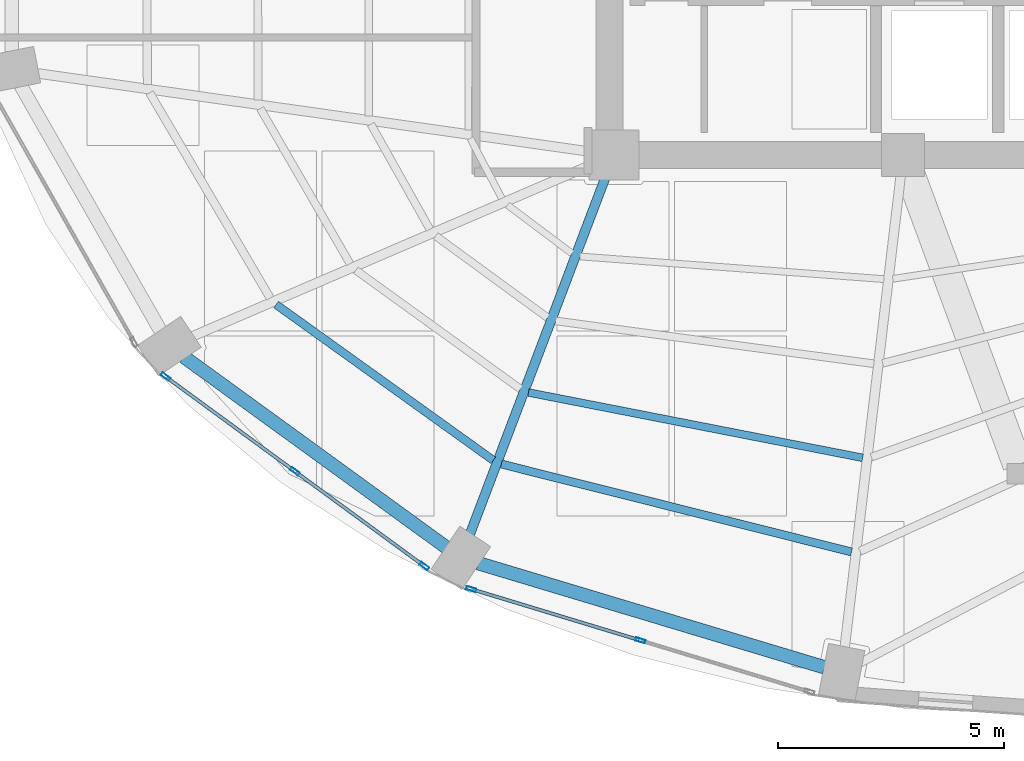
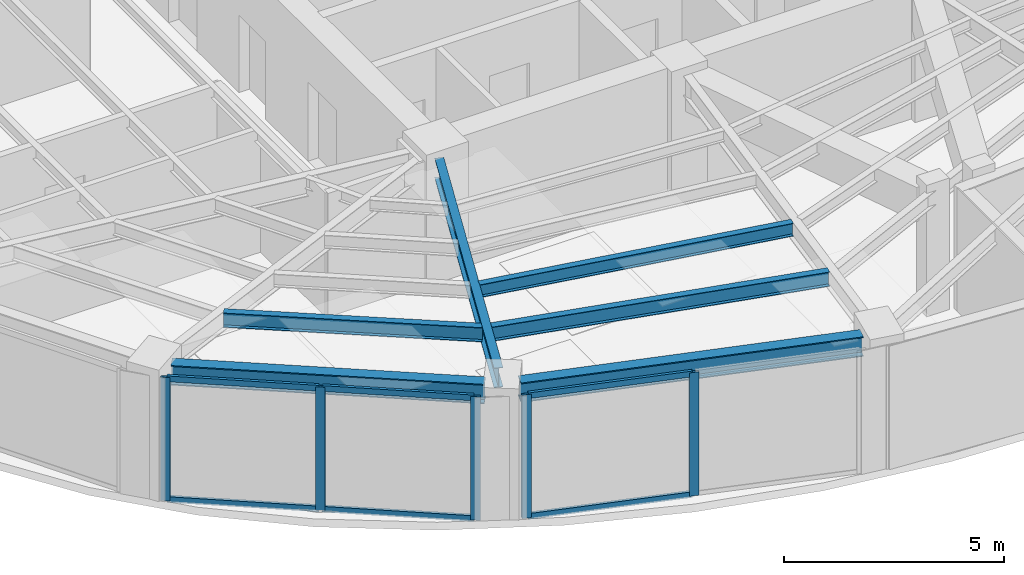
# One storey, part 2 of 19: 11 members, 6 beams, 2 elements without a shape of their own.
"""IFC4 building model written with IfcOpenShell, lengths in metres."""

import ifcopenshell
import ifcopenshell.guid

model = None  # the IFC model being written
_history = None  # IfcOwnerHistory: only IFC2X3 demands one
_inside = {}  # id of a spatial element -> (the spatial element, [elements in it])
_under = {}  # id of a project, library or spatial element -> (it, [spatial elements below it])
_declared = {}  # id of a project -> (the project, [libraries it declares])
_typed = {}  # id of a type object -> (the type object, [elements of that type])
_made_of = {}  # id of a material, layer set ... -> (it, [elements and type objects made of it])


def new_model(schema):
    """Start an empty IFC model of exactly this schema.

    Asked for "IFC4X3", IfcOpenShell would pick the latest addendum, in which some entities
    have other attributes; the version numbers below select the first issue.
    IFC2X3 requires an IfcOwnerHistory on every rooted entity: one is made here for all.
    """
    global model, _history
    if schema == "IFC4X3":
        model = ifcopenshell.file(schema_version=(4, 3, 0, 0))
    else:
        model = ifcopenshell.file(schema=schema)
    _inside.clear()
    _under.clear()
    _declared.clear()
    _typed.clear()
    _made_of.clear()
    _history = None
    if model.schema == "IFC2X3":
        org = make("IfcOrganization", Name="unknown")
        user = make(
            "IfcPersonAndOrganization",
            ThePerson=make("IfcPerson", FamilyName="unknown"),
            TheOrganization=org,
        )
        app = make(
            "IfcApplication",
            ApplicationDeveloper=org,
            Version="unknown",
            ApplicationFullName="unknown",
            ApplicationIdentifier="unknown",
        )
        _history = make(
            "IfcOwnerHistory",
            OwningUser=user,
            OwningApplication=app,
            ChangeAction="ADDED",
            CreationDate=0,
        )
    return model


def make(cls, **values):
    """One entity of the class cls with the attributes given. An attribute that is None is left unset."""
    return model.create_entity(
        cls, **{name: value for name, value in values.items() if value is not None}
    )


def rooted(cls, **values):
    """An entity with a GlobalId (a new one), such as an element, a storey or a relation."""
    return make(cls, GlobalId=ifcopenshell.guid.new(), OwnerHistory=_history, **values)


def si_unit(unit_type, name, prefix=None):
    """IfcSIUnit, for example si_unit("LENGTHUNIT", "METRE", prefix="MILLI")."""
    return make("IfcSIUnit", UnitType=unit_type, Prefix=prefix, Name=name)


def assignment(units):
    """IfcUnitAssignment: the units of a project."""
    return None if units is None else make("IfcUnitAssignment", Units=units)


def point(xyz):
    """IfcCartesianPoint."""
    return None if xyz is None else make("IfcCartesianPoint", Coordinates=xyz)


def direction(xyz):
    """IfcDirection."""
    return None if xyz is None else make("IfcDirection", DirectionRatios=xyz)


def frame(location, z_axis=None, x_axis=None):
    """IfcAxis2Placement3D, a coordinate frame: its origin and axes. An axis left out is left unset."""
    return make(
        "IfcAxis2Placement3D",
        Location=point(location),
        Axis=direction(z_axis),
        RefDirection=direction(x_axis),
    )


def frame_2d(location, x_axis=None):
    """IfcAxis2Placement2D, a coordinate frame in the plane: its origin and x axis."""
    return make(
        "IfcAxis2Placement2D", Location=point(location), RefDirection=direction(x_axis)
    )


def origin():
    """The frame at (0, 0, 0) with its axes left unset."""
    return frame((0.0, 0.0, 0.0))


def origin_2d():
    """The frame at (0, 0) in the plane with its x axis left unset."""
    return frame_2d((0.0, 0.0))


def place(relative_to, where):
    """IfcLocalPlacement: puts the frame where relative to a parent placement (None: the world)."""
    return make(
        "IfcLocalPlacement", PlacementRelTo=relative_to, RelativePlacement=where
    )


def context(
    kind, dimensions, precision=None, world=None, true_north=None, identifier=None
):
    """IfcGeometricRepresentationContext, for example the 3D "Model" context."""
    return make(
        "IfcGeometricRepresentationContext",
        ContextIdentifier=identifier,
        ContextType=kind,
        CoordinateSpaceDimension=dimensions,
        Precision=precision,
        WorldCoordinateSystem=world,
        TrueNorth=true_north,
    )


def subcontext(parent, identifier, kind, view, scale=None):
    """IfcGeometricRepresentationSubContext, for example "Body" below "Model"."""
    return make(
        "IfcGeometricRepresentationSubContext",
        ContextIdentifier=identifier,
        ContextType=kind,
        ParentContext=parent,
        TargetScale=scale,
        TargetView=view,
    )


def project(units=None, contexts=None):
    """IfcProject with its units and contexts."""
    return rooted(
        "IfcProject",
        Name="project",
        RepresentationContexts=contexts,
        UnitsInContext=assignment(units),
    )


def spatial(cls, under=None, at=None, **own):
    """A site, building, storey or space (cls), placed at a placement, below another one or the project."""
    s = rooted(cls, ObjectPlacement=at, **own)
    if under is not None:
        _under.setdefault(under.id(), (under, []))[1].append(s)
    return s


def profile(cls, at=None, kind="AREA", **sizes):
    """A parametric profile (cls). Its sizes go by their IFC names, for example OverallWidth=200.0."""
    return make(cls, ProfileType=kind, Position=at, **sizes)


def hollow_rectangle(**sizes):
    """IfcRectangleHollowProfileDef."""
    return profile("IfcRectangleHollowProfileDef", **sizes)


def i_section(**sizes):
    """IfcIShapeProfileDef."""
    return profile("IfcIShapeProfileDef", **sizes)


def extrude(swept, where, along, depth):
    """IfcExtrudedAreaSolid: the profile swept, set in the frame where, extruded along a direction by depth."""
    return make(
        "IfcExtrudedAreaSolid",
        SweptArea=swept,
        Position=where,
        ExtrudedDirection=direction(along),
        Depth=depth,
    )


def shape(context_of_items, identifier, shape_type, items):
    """IfcShapeRepresentation: the items that make up one representation, for example the "Body"."""
    return make(
        "IfcShapeRepresentation",
        ContextOfItems=context_of_items,
        RepresentationIdentifier=identifier,
        RepresentationType=shape_type,
        Items=items,
    )


def material(Name=None, Category=None):
    """IfcMaterial."""
    return make("IfcMaterial", Name=Name, Category=Category)


def layer(
    of_material, thickness, ventilated=None, Name=None, Category=None, Priority=None
):
    """IfcMaterialLayer: one layer of a wall or slab, of a material (None: an air gap)."""
    return make(
        "IfcMaterialLayer",
        Material=of_material,
        LayerThickness=thickness,
        IsVentilated=ventilated,
        Name=Name,
        Category=Category,
        Priority=Priority,
    )


def layer_set(layers, Name=None):
    """IfcMaterialLayerSet."""
    return make("IfcMaterialLayerSet", MaterialLayers=layers, LayerSetName=Name)


def material_profile(
    of_material, cross_section, Name=None, Category=None, Priority=None
):
    """IfcMaterialProfile: a cross section and its material."""
    return make(
        "IfcMaterialProfile",
        Name=Name,
        Material=of_material,
        Profile=cross_section,
        Priority=Priority,
        Category=Category,
    )


def profile_set(profiles, Name=None, composite=None):
    """IfcMaterialProfileSet."""
    return make(
        "IfcMaterialProfileSet",
        Name=Name,
        MaterialProfiles=profiles,
        CompositeProfile=composite,
    )


def made_of(thing, what):
    """Note that an element or type object is made of a material, layer set ...; save() writes the relation."""
    if what is not None:
        _made_of.setdefault(what.id(), (what, []))[1].append(thing)
    return thing


def type_object(cls, material=None, **own):
    """A type object (cls), such as IfcWallType, which elements share."""
    return made_of(rooted(cls, **own), material)


def element(
    cls,
    number,
    at=None,
    inside=None,
    cuts=None,
    type_object=None,
    material=None,
    context=None,
    identifier="Body",
    shape_type=None,
    held_by="IfcProductDefinitionShape",
    body=None,
    shapes=None,
    **own,
):
    """One element of the class cls, such as IfcWall. Its Tag is "e" and its number.

    at: its placement. inside: the storey or other place that contains it. cuts: it is an
    opening in that element (IfcRelVoidsElement). A single representation is given by context,
    identifier, shape_type and body (its items); several are given by shapes. held_by: the class
    of the entity that holds the representations. save() writes the other relations.
    """
    e = rooted(cls, Tag="e%d" % number, ObjectPlacement=at, **own)
    if body is not None:
        shapes = [shape(context, identifier, shape_type, body)]
    if shapes is not None:
        e.Representation = make(held_by, Representations=shapes)
    if inside is not None:
        _inside.setdefault(inside.id(), (inside, []))[1].append(e)
    if cuts is not None:
        rooted(
            "IfcRelVoidsElement", RelatingBuildingElement=cuts, RelatedOpeningElement=e
        )
    if type_object is not None:
        _typed.setdefault(type_object.id(), (type_object, []))[1].append(e)
    return made_of(e, material)


def aggregate(whole, parts):
    """IfcRelAggregates: a whole, such as a stair, and the parts it consists of."""
    return rooted("IfcRelAggregates", RelatingObject=whole, RelatedObjects=parts)


def save(model, path):
    """Write the relations noted so far, then the file.

    IfcRelAggregates (storeys below a building ...), IfcRelContainedInSpatialStructure (elements
    in a storey), IfcRelDefinesByType, IfcRelAssociatesMaterial and IfcRelDeclares: one each for
    every whole, place, type object, material and project.
    """
    for whole, parts in _under.values():
        aggregate(whole, parts)
    for where, things in _inside.values():
        rooted(
            "IfcRelContainedInSpatialStructure",
            RelatedElements=things,
            RelatingStructure=where,
        )
    for kind, things in _typed.values():
        rooted("IfcRelDefinesByType", RelatedObjects=things, RelatingType=kind)
    for what, things in _made_of.values():
        rooted("IfcRelAssociatesMaterial", RelatedObjects=things, RelatingMaterial=what)
    for by, libraries in _declared.values():
        rooted("IfcRelDeclares", RelatingContext=by, RelatedDefinitions=libraries)
    model.write(path)


model = new_model("IFC4")

# Units and contexts
model_context = context("Model", 3, precision=1e-05, world=origin(), true_north=direction((0.0, 1.0)))
body_context = subcontext(model_context, "Body", "Model", "MODEL_VIEW")
ifc_project = project(units=[si_unit("LENGTHUNIT", "METRE"), si_unit("AREAUNIT", "SQUARE_METRE"), si_unit("VOLUMEUNIT", "CUBIC_METRE"), si_unit("PLANEANGLEUNIT", "RADIAN"), si_unit("MASSUNIT", "GRAM", prefix="KILO")], contexts=[model_context])

# Site, building, storey
site_placement = place(None, origin())
site = spatial("IfcSite", under=ifc_project, at=site_placement, CompositionType="ELEMENT")
building_placement = place(site_placement, origin())
building = spatial("IfcBuilding", under=site, at=building_placement, Name="Lazwardi Medical Tower", CompositionType="ELEMENT")
storey_placement = place(building_placement, frame((0.0, 0.0, 163.823974609375)))
storey = spatial("IfcBuildingStorey", under=building, at=storey_placement, Name="L42", CompositionType="ELEMENT", Elevation=163.823974609375)

# Beams
ifc_material_1 = material(Name="Steel S355", Category="steel")
ifc_material_profile_1 = material_profile(ifc_material_1, i_section(OverallWidth=0.300048828125, OverallDepth=0.550048828125, WebThickness=0.014892578125, FlangeThickness=0.029052734375, at=origin_2d()), Name="HEB 550")
ifc_profile_set_1 = profile_set([ifc_material_profile_1], Name="Steel S355")
beam_type_1 = type_object("IfcBeamType", Name="BM-RB-Z3", PredefinedType="BEAM", material=ifc_profile_set_1)
beam_1_placement = place(storey_placement, frame((16.88818359375, 15.93408203125, 3.153076171875), z_axis=(0.809127570774, -0.587633026824, 0.0), x_axis=(0.587633026824, 0.809127570774, 0.0)))
element("IfcBeam", 1, at=beam_1_placement, inside=storey, type_object=beam_type_1, Name="Ring beam RB-04 B14 L42", PredefinedType="BEAM", context=body_context, shape_type="SweptSolid", body=[
    extrude(i_section(OverallWidth=0.300048828125, OverallDepth=0.550048828125, WebThickness=0.014892578125, FlangeThickness=0.029052734375, at=origin_2d()), origin(), (0.0, 0.0, 1.0), 7.170166015625),
])
beam_2_placement = place(storey_placement, frame((23.396484375, 11.37060546875, 3.153076171875), z_axis=(0.957616873483, -0.288045002771, 0.0), x_axis=(0.288045002771, 0.957616873483, 0.0)))
element("IfcBeam", 2, at=beam_2_placement, inside=storey, type_object=beam_type_1, Name="Ring beam RB-04 B15 L42", PredefinedType="BEAM", context=body_context, shape_type="SweptSolid", body=[
    extrude(i_section(OverallWidth=0.300048828125, OverallDepth=0.550048828125, WebThickness=0.014892578125, FlangeThickness=0.029052734375, at=origin_2d()), origin(), (0.0, 0.0, 1.0), 7.99951171875),
])
ifc_material_profile_2 = material_profile(ifc_material_1, i_section(OverallWidth=0.2099609375, OverallDepth=0.550048828125, WebThickness=0.010986328125, FlangeThickness=0.01708984375, at=origin_2d()), Name="IPE 550")
ifc_profile_set_2 = profile_set([ifc_material_profile_2], Name="Steel S355")
beam_type_2 = type_object("IfcBeamType", Name="BM-RG-W2", PredefinedType="BEAM", material=ifc_profile_set_2)
beam_3_placement = place(storey_placement, frame((23.21240234375, 12.00927734375, 3.153076171875), z_axis=(0.355126771712, 0.934818151307, 0.0), x_axis=(-0.934818151307, 0.355126771712, 0.0)))
element("IfcBeam", 3, at=beam_3_placement, inside=storey, type_object=beam_type_2, Name="Radial girder RG-03 R15 L42", PredefinedType="BEAM", context=body_context, shape_type="SweptSolid", body=[
    extrude(i_section(OverallWidth=0.2099609375, OverallDepth=0.550048828125, WebThickness=0.010986328125, FlangeThickness=0.01708984375, at=origin_2d()), origin(), (0.0, 0.0, 1.0), 8.44091796875),
])
ifc_material_profile_3 = material_profile(ifc_material_1, i_section(OverallWidth=0.179931640625, OverallDepth=0.39990234375, WebThickness=0.008544921875, FlangeThickness=0.013427734375, at=origin_2d()), Name="IPE 400")
ifc_profile_set_3 = profile_set([ifc_material_profile_3], Name="Steel S355")
beam_type_3 = type_object("IfcBeamType", Name="BM-SJ-01", PredefinedType="JOIST", material=ifc_profile_set_3)
beam_4_placement = place(storey_placement, frame((18.926025390625, 17.091796875, 3.22802734375), z_axis=(0.812602017757, -0.582818977675, 0.0), x_axis=(0.582818977675, 0.812602017757, 0.0)))
element("IfcBeam", 4, at=beam_4_placement, inside=storey, type_object=beam_type_3, Name="Secondary joist SJ-01 R1 B14 L42", PredefinedType="JOIST", context=body_context, shape_type="SweptSolid", body=[
    extrude(i_section(OverallWidth=0.179931640625, OverallDepth=0.39990234375, WebThickness=0.008544921875, FlangeThickness=0.013427734375, at=origin_2d()), origin(), (0.0, 0.0, 1.0), 5.91259765625),
])
beam_5_placement = place(storey_placement, frame((23.908935546875, 13.56298828125, 3.22802734375), z_axis=(0.969933596942, -0.243369713652, 0.0), x_axis=(0.243369713652, 0.969933596942, 0.0)))
element("IfcBeam", 5, at=beam_5_placement, inside=storey, type_object=beam_type_3, Name="Secondary joist SJ-01 R1 B15 L42", PredefinedType="JOIST", context=body_context, shape_type="SweptSolid", body=[
    extrude(i_section(OverallWidth=0.179931640625, OverallDepth=0.39990234375, WebThickness=0.008544921875, FlangeThickness=0.013427734375, at=origin_2d()), origin(), (0.0, 0.0, 1.0), 7.98828125),
])
ifc_material_profile_4 = material_profile(ifc_material_1, i_section(OverallWidth=0.169921875, OverallDepth=0.360107421875, WebThickness=0.008056640625, FlangeThickness=0.0126953125, at=origin_2d()), Name="IPE 360")
ifc_profile_set_4 = profile_set([ifc_material_profile_4], Name="Steel S355")
beam_type_4 = type_object("IfcBeamType", Name="BM-SJ-02", PredefinedType="JOIST", material=ifc_profile_set_4)
beam_6_placement = place(storey_placement, frame((24.509521484375, 15.146484375, 3.248046875), z_axis=(0.98141534692, -0.191895588353, 0.0), x_axis=(0.191895588353, 0.98141534692, 0.0)))
element("IfcBeam", 6, at=beam_6_placement, inside=storey, type_object=beam_type_4, Name="Secondary joist SJ-02 R2 B15 L42", PredefinedType="JOIST", context=body_context, shape_type="SweptSolid", body=[
    extrude(i_section(OverallWidth=0.169921875, OverallDepth=0.360107421875, WebThickness=0.008056640625, FlangeThickness=0.0126953125, at=origin_2d()), origin(), (0.0, 0.0, 1.0), 7.534423828125),
])

# Curtain wall, members
ifc_material_2 = material(Name="Anodised bronze aluminium and solar control glazing", Category="aluminium")
ifc_layer = layer(ifc_material_2, 0.195068359375)
ifc_layer_set = layer_set([ifc_layer], Name="Anodised bronze aluminium and solar control glazing")
curtain_wall_type = type_object("IfcCurtainWallType", Name="CW-SYS-03", PredefinedType="NOTDEFINED", material=ifc_layer_set)
curtain_wall_1_placement = place(storey_placement, origin())
curtain_wall_1 = element("IfcCurtainWall", 7, at=curtain_wall_1_placement, inside=storey, type_object=curtain_wall_type, Name="L42 Unitised bronze curtain wall CW-03", PredefinedType="NOTDEFINED")
ifc_material_3 = material(Name="Anodised bronze aluminium", Category="aluminium")
ifc_material_profile_5 = material_profile(ifc_material_3, hollow_rectangle(XDim=0.074951171875, YDim=0.219970703125, WallThickness=0.00390625, at=origin_2d()), Name="ALU-MULLION 220x75x4")
ifc_profile_set_5 = profile_set([ifc_material_profile_5], Name="Anodised bronze aluminium")
member_type_1 = type_object("IfcMemberType", Name="CW-MUL-01", PredefinedType="MULLION", material=ifc_profile_set_5)
member_1_placement = place(storey_placement, frame((16.480224609375, 15.4970703125, 0.0), z_axis=(0.0, 0.0, 1.0), x_axis=(0.590833862635, 0.806793249082, 0.0)))
member_1 = element("IfcMember", 8, at=member_1_placement, type_object=member_type_1, Name="CW-03 mullion 1", PredefinedType="MULLION", context=body_context, shape_type="SweptSolid", body=[
    extrude(hollow_rectangle(XDim=0.074951171875, YDim=0.219970703125, WallThickness=0.00390625, at=origin_2d()), origin(), (0.0, 0.0, 1.0), 3.427978515625),
])
member_2_placement = place(storey_placement, frame((19.34228515625, 13.401123046875, 0.0), z_axis=(0.0, 0.0, 1.0), x_axis=(0.590833862635, 0.806793249082, 0.0)))
member_2 = element("IfcMember", 9, at=member_2_placement, type_object=member_type_1, Name="CW-03 mullion 2", PredefinedType="MULLION", context=body_context, shape_type="SweptSolid", body=[
    extrude(hollow_rectangle(XDim=0.074951171875, YDim=0.219970703125, WallThickness=0.00390625, at=origin_2d()), origin(), (0.0, 0.0, 1.0), 3.427978515625),
])
member_3_placement = place(storey_placement, frame((22.204345703125, 11.30517578125, 0.0), z_axis=(0.0, 0.0, 1.0), x_axis=(0.590833862635, 0.806793249082, 0.0)))
member_3 = element("IfcMember", 10, at=member_3_placement, type_object=member_type_1, Name="CW-03 mullion 3", PredefinedType="MULLION", context=body_context, shape_type="SweptSolid", body=[
    extrude(hollow_rectangle(XDim=0.074951171875, YDim=0.219970703125, WallThickness=0.00390625, at=origin_2d()), origin(), (0.0, 0.0, 1.0), 3.427978515625),
])

curtain_wall_2_placement = place(storey_placement, origin())
curtain_wall_2 = element("IfcCurtainWall", 11, at=curtain_wall_2_placement, inside=storey, type_object=curtain_wall_type, Name="L42 Unitised bronze curtain wall CW-03", PredefinedType="NOTDEFINED")
member_4_placement = place(storey_placement, frame((23.241943359375, 10.796630859375, 0.0), z_axis=(0.0, 0.0, 1.0), x_axis=(0.290280785441, 0.956941516292, 0.0)))
member_4 = element("IfcMember", 12, at=member_4_placement, type_object=member_type_1, Name="CW-03 mullion 1", PredefinedType="MULLION", context=body_context, shape_type="SweptSolid", body=[
    extrude(hollow_rectangle(XDim=0.074951171875, YDim=0.219970703125, WallThickness=0.00390625, at=origin_2d()), origin(), (0.0, 0.0, 1.0), 3.427978515625),
])
member_5_placement = place(storey_placement, frame((26.98486328125, 9.661376953125, 0.0), z_axis=(0.0, 0.0, 1.0), x_axis=(0.290280785441, 0.956941516292, 0.0)))
member_5 = element("IfcMember", 13, at=member_5_placement, type_object=member_type_1, Name="CW-03 mullion 2", PredefinedType="MULLION", context=body_context, shape_type="SweptSolid", body=[
    extrude(hollow_rectangle(XDim=0.074951171875, YDim=0.219970703125, WallThickness=0.00390625, at=origin_2d()), origin(), (0.0, 0.0, 1.0), 3.427978515625),
])

# Member
ifc_material_profile_6 = material_profile(ifc_material_3, hollow_rectangle(XDim=0.074951171875, YDim=0.159912109375, WallThickness=0.00390625, at=origin_2d()), Name="ALU-TRANSOM 160x75x4")
ifc_profile_set_6 = profile_set([ifc_material_profile_6], Name="Anodised bronze aluminium")
member_type_2 = type_object("IfcMemberType", Name="CW-TRN-01", PredefinedType="USERDEFINED", material=ifc_profile_set_6)
member_6_placement = place(storey_placement, frame((16.510498046875, 15.474853515625, 0.03759765625), z_axis=(0.806807161185, -0.590814864962, 0.0), x_axis=(0.590814864962, 0.806807161185, 0.0)))
member_6 = element("IfcMember", 14, at=member_6_placement, type_object=member_type_2, Name="CW-03 transom 1.1", ObjectType="TRANSOM", PredefinedType="USERDEFINED", context=body_context, shape_type="SweptSolid", body=[
    extrude(hollow_rectangle(XDim=0.074951171875, YDim=0.159912109375, WallThickness=0.00390625, at=origin_2d()), origin(), (0.0, 0.0, 1.0), 3.472412109375),
])

member_7_placement = place(storey_placement, frame((16.510498046875, 15.474853515625, 3.390625), z_axis=(0.806807161185, -0.590814864962, 0.0), x_axis=(0.590814864962, 0.806807161185, 0.0)))
member_7 = element("IfcMember", 15, at=member_7_placement, type_object=member_type_2, Name="CW-03 transom 1.2", ObjectType="TRANSOM", PredefinedType="USERDEFINED", context=body_context, shape_type="SweptSolid", body=[
    extrude(hollow_rectangle(XDim=0.074951171875, YDim=0.159912109375, WallThickness=0.00390625, at=origin_2d()), origin(), (0.0, 0.0, 1.0), 3.472412109375),
])

member_8_placement = place(storey_placement, frame((19.37255859375, 13.37890625, 0.03759765625), z_axis=(0.806807161185, -0.590814864962, 0.0), x_axis=(0.590814864962, 0.806807161185, 0.0)))
member_8 = element("IfcMember", 16, at=member_8_placement, type_object=member_type_2, Name="CW-03 transom 2.1", ObjectType="TRANSOM", PredefinedType="USERDEFINED", context=body_context, shape_type="SweptSolid", body=[
    extrude(hollow_rectangle(XDim=0.074951171875, YDim=0.159912109375, WallThickness=0.00390625, at=origin_2d()), origin(), (0.0, 0.0, 1.0), 3.472412109375),
])

member_9_placement = place(storey_placement, frame((19.37255859375, 13.37890625, 3.390625), z_axis=(0.806807161185, -0.590814864962, 0.0), x_axis=(0.590814864962, 0.806807161185, 0.0)))
member_9 = element("IfcMember", 17, at=member_9_placement, type_object=member_type_2, Name="CW-03 transom 2.2", ObjectType="TRANSOM", PredefinedType="USERDEFINED", context=body_context, shape_type="SweptSolid", body=[
    extrude(hollow_rectangle(XDim=0.074951171875, YDim=0.159912109375, WallThickness=0.00390625, at=origin_2d()), origin(), (0.0, 0.0, 1.0), 3.472412109375),
])

aggregate(curtain_wall_1, [member_1, member_2, member_3, member_6, member_7, member_8, member_9])

member_10_placement = place(storey_placement, frame((23.27783203125, 10.785888671875, 0.03759765625), z_axis=(0.956930154175, -0.290318239233, 0.0), x_axis=(0.290318239233, 0.956930154175, 0.0)))
member_10 = element("IfcMember", 18, at=member_10_placement, type_object=member_type_2, Name="CW-03 transom 1.1", ObjectType="TRANSOM", PredefinedType="USERDEFINED", context=body_context, shape_type="SweptSolid", body=[
    extrude(hollow_rectangle(XDim=0.074951171875, YDim=0.159912109375, WallThickness=0.00390625, at=origin_2d()), origin(), (0.0, 0.0, 1.0), 3.83642578125),
])

member_11_placement = place(storey_placement, frame((23.27783203125, 10.785888671875, 3.390625), z_axis=(0.956930154175, -0.290318239233, 0.0), x_axis=(0.290318239233, 0.956930154175, 0.0)))
member_11 = element("IfcMember", 19, at=member_11_placement, type_object=member_type_2, Name="CW-03 transom 1.2", ObjectType="TRANSOM", PredefinedType="USERDEFINED", context=body_context, shape_type="SweptSolid", body=[
    extrude(hollow_rectangle(XDim=0.074951171875, YDim=0.159912109375, WallThickness=0.00390625, at=origin_2d()), origin(), (0.0, 0.0, 1.0), 3.83642578125),
])

aggregate(curtain_wall_2, [member_4, member_5, member_10, member_11])

save(model, "model.ifc")
